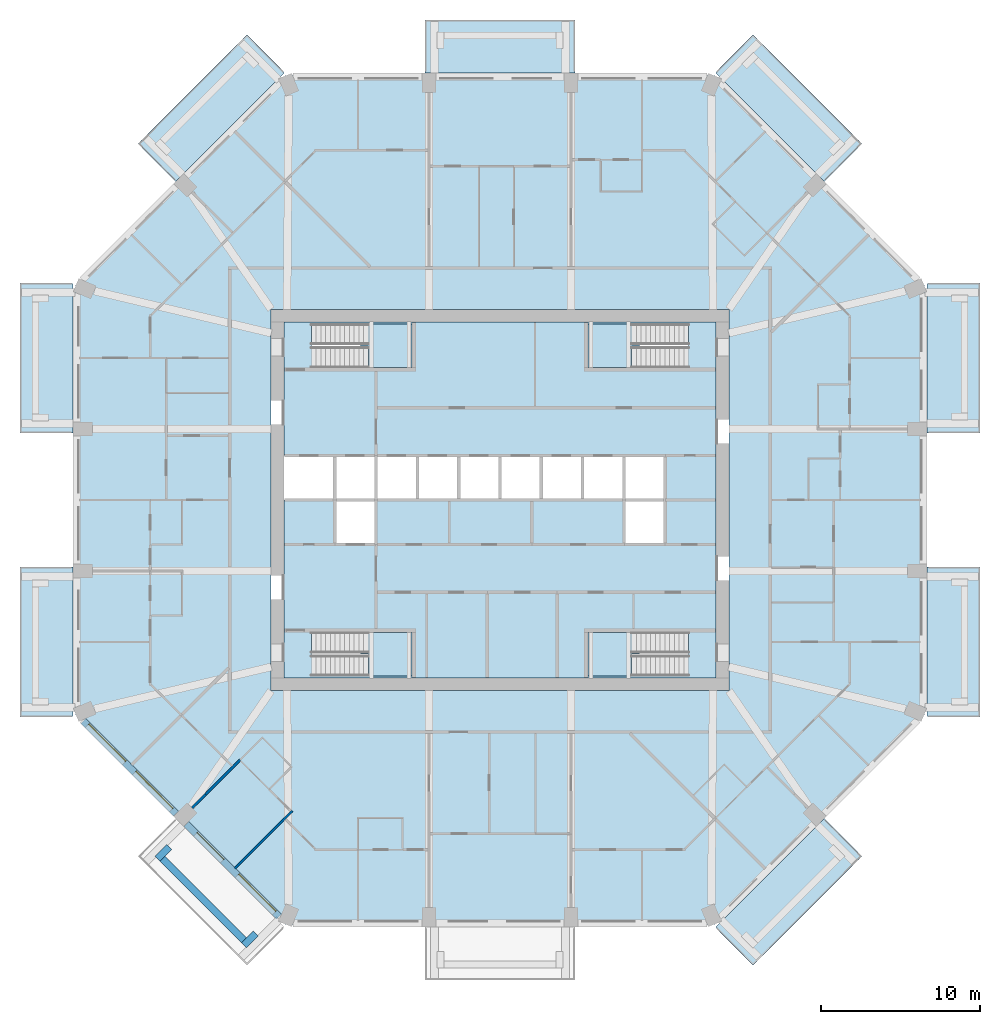
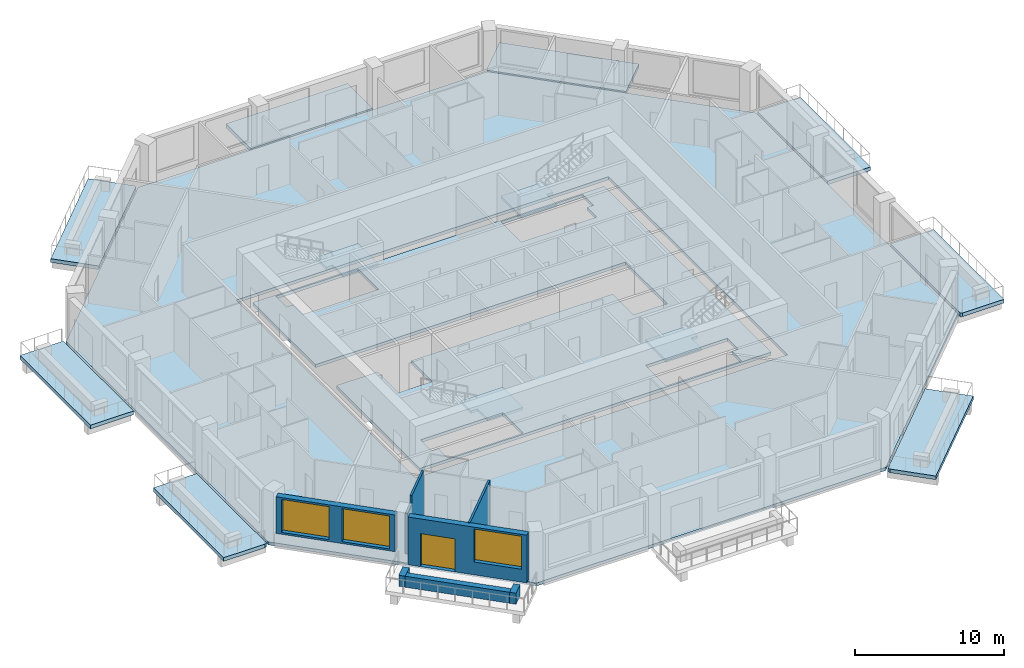
# One storey, part 2 of 13: 14 slabs, 8 walls, 3 windows, 1 door, 4 openings, 4 elements without a shape of their own.
"""IFC4 building model written with IfcOpenShell, lengths in metres."""

from ifc_helpers import new_model, si_unit, direction, frame, frame_2d, origin, place, context, subcontext, project, spatial, polyline, rectangle, outline, extrude, material, layer, layer_set, type_object, element, fill, aggregate, save


model = new_model("IFC4")

# Units and contexts
model_context = context("Model", 3, precision=1e-05, world=origin(), true_north=direction((0.0, 1.0)))
body_context = subcontext(model_context, "Body", "Model", "MODEL_VIEW")
ifc_project = project(units=[si_unit("LENGTHUNIT", "METRE"), si_unit("AREAUNIT", "SQUARE_METRE"), si_unit("VOLUMEUNIT", "CUBIC_METRE"), si_unit("PLANEANGLEUNIT", "RADIAN"), si_unit("MASSUNIT", "GRAM", prefix="KILO")], contexts=[model_context])

# Site, building, storey
site_placement = place(None, origin())
site = spatial("IfcSite", under=ifc_project, at=site_placement, CompositionType="ELEMENT")
building_placement = place(site_placement, origin())
building = spatial("IfcBuilding", under=site, at=building_placement, Name="Msitu Wima Residences", CompositionType="ELEMENT")
storey_placement = place(building_placement, frame((0.0, 0.0, 135.89990234375)))
storey = spatial("IfcBuildingStorey", under=building, at=storey_placement, Name="L31", CompositionType="ELEMENT", Elevation=135.89990234375)

# Slabs
ifc_material_1 = material(Name="Concrete C40/50", Category="concrete")
ifc_layer_1 = layer(ifc_material_1, 0.300048828125)
ifc_layer_set_1 = layer_set([ifc_layer_1], Name="Concrete C40/50")
slab_type_1 = type_object("IfcSlabType", Name="Balcony slab BS300", PredefinedType="FLOOR", material=ifc_layer_set_1)
slab_1_placement = place(storey_placement, frame((0.0, 0.0, -0.2998046875)))
element("IfcSlab", 1, at=slab_1_placement, inside=storey, type_object=slab_type_1, Name="Balcony E0 L31", PredefinedType="FLOOR", context=body_context, shape_type="SweptSolid", body=[
    extrude(outline(polyline([(26.85009765625, -13.105224609375), (26.85009765625, -13.105224609375), (26.85009765625, -4.918701171875), (26.85009765625, -4.918701171875), (26.85009765625, -4.21875), (30.199951171875, -4.21875), (30.199951171875, -13.656005859375), (27.003662109375, -13.656005859375), (26.85009765625, -13.59228515625), (26.85009765625, -13.105224609375), (26.85009765625, -13.105224609375)])), origin(), (0.0, 0.0, 1.0), 0.2998046875),
])
slab_2_placement = place(storey_placement, frame((0.0, 0.0, -0.2998046875)))
element("IfcSlab", 2, at=slab_2_placement, inside=storey, type_object=slab_type_1, Name="Balcony E2 L31", PredefinedType="FLOOR", context=body_context, shape_type="SweptSolid", body=[
    extrude(outline(polyline([(26.85009765625, 13.105224609375), (26.85009765625, 13.105224609375), (26.85009765625, 13.59228515625), (27.003662109375, 13.656005859375), (30.199951171875, 13.656005859375), (30.199951171875, 4.21875), (26.85009765625, 4.21875), (26.85009765625, 4.918701171875), (26.85009765625, 4.918701171875), (26.85009765625, 13.105224609375), (26.85009765625, 13.105224609375)])), origin(), (0.0, 0.0, 1.0), 0.2998046875),
])
slab_3_placement = place(storey_placement, frame((0.0, 0.0, -0.2998046875)))
element("IfcSlab", 3, at=slab_3_placement, inside=storey, type_object=slab_type_1, Name="Balcony NE1 L31", PredefinedType="FLOOR", context=body_context, shape_type="SweptSolid", body=[
    extrude(outline(polyline([(15.916015625, 29.263671875), (22.766845703125, 22.4130859375), (20.39794921875, 20.04443359375), (13.59228515625, 26.85009765625), (13.656005859375, 27.003662109375), (15.916015625, 29.263671875)])), origin(), (0.0, 0.0, 1.0), 0.2998046875),
])
slab_4_placement = place(storey_placement, frame((0.0, 0.0, -0.2998046875)))
element("IfcSlab", 4, at=slab_4_placement, inside=storey, type_object=slab_type_1, Name="Balcony N1 L31", PredefinedType="FLOOR", context=body_context, shape_type="SweptSolid", body=[
    extrude(outline(polyline([(-4.0185546875, 26.85009765625), (-4.0185546875, 26.85009765625), (-4.71875, 26.85009765625), (-4.71875, 30.199951171875), (4.71875, 30.199951171875), (4.71875, 26.85009765625), (4.0185546875, 26.85009765625), (4.0185546875, 26.85009765625), (-4.0185546875, 26.85009765625)])), origin(), (0.0, 0.0, 1.0), 0.2998046875),
])
slab_5_placement = place(storey_placement, frame((0.0, 0.0, -0.2998046875)))
element("IfcSlab", 5, at=slab_5_placement, inside=storey, type_object=slab_type_1, Name="Balcony NW0 L31", PredefinedType="FLOOR", context=body_context, shape_type="SweptSolid", body=[
    extrude(outline(polyline([(-22.766845703125, 22.4130859375), (-15.916015625, 29.263671875), (-13.656005859375, 27.003662109375), (-13.59228515625, 26.85009765625), (-20.39794921875, 20.04443359375), (-22.766845703125, 22.4130859375)])), origin(), (0.0, 0.0, 1.0), 0.2998046875),
])
slab_6_placement = place(storey_placement, frame((0.0, 0.0, -0.2998046875)))
element("IfcSlab", 6, at=slab_6_placement, inside=storey, type_object=slab_type_1, Name="Balcony W0 L31", PredefinedType="FLOOR", context=body_context, shape_type="SweptSolid", body=[
    extrude(outline(polyline([(-26.85009765625, 13.105224609375), (-26.85009765625, 13.105224609375), (-26.85009765625, 4.918701171875), (-26.85009765625, 4.918701171875), (-26.85009765625, 4.21875), (-30.199951171875, 4.21875), (-30.199951171875, 13.656005859375), (-27.003662109375, 13.656005859375), (-26.85009765625, 13.59228515625), (-26.85009765625, 13.105224609375), (-26.85009765625, 13.105224609375)])), origin(), (0.0, 0.0, 1.0), 0.2998046875),
])
slab_7_placement = place(storey_placement, frame((0.0, 0.0, -0.2998046875)))
element("IfcSlab", 7, at=slab_7_placement, inside=storey, type_object=slab_type_1, Name="Balcony W2 L31", PredefinedType="FLOOR", context=body_context, shape_type="SweptSolid", body=[
    extrude(outline(polyline([(-26.85009765625, -13.105224609375), (-26.85009765625, -13.105224609375), (-26.85009765625, -13.59228515625), (-27.003662109375, -13.656005859375), (-30.199951171875, -13.656005859375), (-30.199951171875, -4.21875), (-26.85009765625, -4.21875), (-26.85009765625, -4.918701171875), (-26.85009765625, -4.918701171875), (-26.85009765625, -13.105224609375), (-26.85009765625, -13.105224609375)])), origin(), (0.0, 0.0, 1.0), 0.2998046875),
])
slab_8_placement = place(storey_placement, frame((0.0, 0.0, -0.2998046875)))
element("IfcSlab", 8, at=slab_8_placement, inside=storey, type_object=slab_type_1, Name="Balcony SE0 L31", PredefinedType="FLOOR", context=body_context, shape_type="SweptSolid", body=[
    extrude(outline(polyline([(22.766845703125, -22.4130859375), (15.916015625, -29.263671875), (13.656005859375, -27.003662109375), (13.59228515625, -26.85009765625), (20.39794921875, -20.04443359375), (22.766845703125, -22.4130859375)])), origin(), (0.0, 0.0, 1.0), 0.2998046875),
])
ifc_layer_2 = layer(ifc_material_1, 0.25)
ifc_layer_set_2 = layer_set([ifc_layer_2], Name="Concrete C40/50")
slab_type_2 = type_object("IfcSlabType", Name="Core floor CF250", PredefinedType="FLOOR", material=ifc_layer_set_2)
slab_9_placement = place(storey_placement, frame((0.0, 0.0, -0.25)))
element("IfcSlab", 9, at=slab_9_placement, inside=storey, type_object=slab_type_2, Name="Core floor", PredefinedType="FLOOR", context=body_context, shape_type="SweptSolid", body=[
    extrude(outline(polyline([(-13.60009765625, 11.199951171875), (-13.60009765625, 2.800048828125), (-10.39990234375, 2.800048828125), (-7.800048828125, 2.800048828125), (-5.199951171875, 2.800048828125), (-2.60009765625, 2.800048828125), (0.0, 2.800048828125), (2.60009765625, 2.800048828125), (5.199951171875, 2.800048828125), (7.800048828125, 2.800048828125), (10.39990234375, 2.800048828125), (10.39990234375, 0.0), (10.39990234375, -2.800048828125), (7.800048828125, -2.800048828125), (7.800048828125, 0.0), (5.199951171875, 0.0), (2.60009765625, 0.0), (0.0, 0.0), (-2.60009765625, 0.0), (-5.199951171875, 0.0), (-7.800048828125, 0.0), (-7.800048828125, -2.800048828125), (-10.39990234375, -2.800048828125), (-10.39990234375, 0.0), (-13.60009765625, 0.0), (-13.60009765625, -11.199951171875), (13.60009765625, -11.199951171875), (13.60009765625, 11.199951171875), (-13.60009765625, 11.199951171875)]), holes=[polyline([(-11.375, -11.074951171875), (-11.375, -9.77490234375), (-11.87451171875, -9.77490234375), (-11.87451171875, -8.324951171875), (-5.52490234375, -8.324951171875), (-5.52490234375, -11.074951171875), (-11.375, -11.074951171875)]), polyline([(-11.375, 9.625), (-11.87451171875, 9.625), (-11.87451171875, 11.074951171875), (-5.52490234375, 11.074951171875), (-5.52490234375, 8.324951171875), (-11.375, 8.324951171875), (-11.375, 9.625)]), polyline([(11.375, -9.77490234375), (11.375, -11.074951171875), (5.52490234375, -11.074951171875), (5.52490234375, -8.324951171875), (11.87451171875, -8.324951171875), (11.87451171875, -9.77490234375), (11.375, -9.77490234375)]), polyline([(11.375, 9.625), (11.375, 8.324951171875), (5.52490234375, 8.324951171875), (5.52490234375, 11.074951171875), (11.87451171875, 11.074951171875), (11.87451171875, 9.625), (11.375, 9.625)])]), origin(), (0.0, 0.0, 1.0), 0.25),
])
ifc_layer_3 = layer(ifc_material_1, 0.25)
ifc_layer_set_3 = layer_set([ifc_layer_3], Name="Concrete C40/50")
slab_type_3 = type_object("IfcSlabType", Name="PT flat slab 250 Concrete C40/50", PredefinedType="FLOOR", material=ifc_layer_set_3)
slab_10_placement = place(storey_placement, frame((0.0, 0.0, -0.25)))
element("IfcSlab", 10, at=slab_10_placement, inside=storey, type_object=slab_type_3, Name="Floor slab L31", PredefinedType="FLOOR", context=body_context, shape_type="SweptSolid", body=[
    extrude(outline(polyline([(26.699951171875, -13.5302734375), (13.5302734375, -26.699951171875), (-13.5302734375, -26.699951171875), (-26.699951171875, -13.5302734375), (-26.699951171875, 13.5302734375), (-13.5302734375, 26.699951171875), (13.5302734375, 26.699951171875), (26.699951171875, 13.5302734375), (26.699951171875, -13.5302734375)]), holes=[polyline([(-14.39990234375, -12.0), (14.39990234375, -12.0), (14.39990234375, 12.0), (-14.39990234375, 12.0), (-14.39990234375, -12.0)])]), origin(), (0.0, 0.0, 1.0), 0.25),
])

# Stair, slab
stair_type = type_object("IfcStairType", Name="Exit stair ES1615-130", PredefinedType="HALF_TURN_STAIR", material=ifc_material_1)
stair_1_placement = place(storey_placement, origin())
stair_1 = element("IfcStair", 11, at=stair_1_placement, inside=storey, type_object=stair_type, Name="Exit stair 1", PredefinedType="HALF_TURN_STAIR")
ifc_layer_4 = layer(ifc_material_1, 0.199951171875)
ifc_layer_set_4 = layer_set([ifc_layer_4], Name="Concrete C40/50")
slab_type_4 = type_object("IfcSlabType", Name="Stair landing SL200", PredefinedType="LANDING", material=ifc_layer_set_4)
slab_11_placement = place(storey_placement, frame((0.0, 0.0, 1.900146484375)))
slab_11 = element("IfcSlab", 12, at=slab_11_placement, type_object=slab_type_4, Name="S1 landing 1", PredefinedType="LANDING", context=body_context, shape_type="SweptSolid", body=[
    extrude(outline(polyline([(-5.52490234375, 8.324951171875), (-8.275390625, 8.324951171875), (-8.275390625, 9.699951171875), (-8.77490234375, 9.699951171875), (-8.77490234375, 11.074951171875), (-5.52490234375, 11.074951171875), (-5.52490234375, 8.324951171875)])), origin(), (0.0, 0.0, 1.0), 0.199951171875),
])
aggregate(stair_1, [slab_11])

stair_2_placement = place(storey_placement, origin())
stair_2 = element("IfcStair", 13, at=stair_2_placement, inside=storey, type_object=stair_type, Name="Exit stair 2", PredefinedType="HALF_TURN_STAIR")
slab_12_placement = place(storey_placement, frame((0.0, 0.0, 1.900146484375)))
slab_12 = element("IfcSlab", 14, at=slab_12_placement, type_object=slab_type_4, Name="S2 landing 1", PredefinedType="LANDING", context=body_context, shape_type="SweptSolid", body=[
    extrude(outline(polyline([(-5.52490234375, -11.074951171875), (-8.275390625, -11.074951171875), (-8.275390625, -9.699951171875), (-8.77490234375, -9.699951171875), (-8.77490234375, -8.324951171875), (-5.52490234375, -8.324951171875), (-5.52490234375, -11.074951171875)])), origin(), (0.0, 0.0, 1.0), 0.199951171875),
])
aggregate(stair_2, [slab_12])

stair_3_placement = place(storey_placement, origin())
stair_3 = element("IfcStair", 15, at=stair_3_placement, inside=storey, type_object=stair_type, Name="Exit stair 3", PredefinedType="HALF_TURN_STAIR")
slab_13_placement = place(storey_placement, frame((0.0, 0.0, 1.900146484375)))
slab_13 = element("IfcSlab", 16, at=slab_13_placement, type_object=slab_type_4, Name="S3 landing 1", PredefinedType="LANDING", context=body_context, shape_type="SweptSolid", body=[
    extrude(outline(polyline([(5.52490234375, 8.324951171875), (8.275390625, 8.324951171875), (8.275390625, 9.699951171875), (8.77490234375, 9.699951171875), (8.77490234375, 11.074951171875), (5.52490234375, 11.074951171875), (5.52490234375, 8.324951171875)])), origin(), (0.0, 0.0, 1.0), 0.199951171875),
])
aggregate(stair_3, [slab_13])

stair_4_placement = place(storey_placement, origin())
stair_4 = element("IfcStair", 17, at=stair_4_placement, inside=storey, type_object=stair_type, Name="Exit stair 4", PredefinedType="HALF_TURN_STAIR")
slab_14_placement = place(storey_placement, frame((0.0, 0.0, 1.900146484375)))
slab_14 = element("IfcSlab", 18, at=slab_14_placement, type_object=slab_type_4, Name="S4 landing 1", PredefinedType="LANDING", context=body_context, shape_type="SweptSolid", body=[
    extrude(outline(polyline([(5.52490234375, -11.074951171875), (8.275390625, -11.074951171875), (8.275390625, -9.699951171875), (8.77490234375, -9.699951171875), (8.77490234375, -8.324951171875), (5.52490234375, -8.324951171875), (5.52490234375, -11.074951171875)])), origin(), (0.0, 0.0, 1.0), 0.199951171875),
])
aggregate(stair_4, [slab_14])

# Walls
ifc_material_2 = material(Name="Facing brick")
ifc_layer_5 = layer(ifc_material_2, 0.06494140625, Name="Facing brick")
ifc_layer_6 = layer(ifc_material_1, 0.156005859375, Name="Concrete C40/50")
ifc_material_3 = material(Name="Waterproofing membrane")
ifc_layer_7 = layer(ifc_material_3, 0.00390625, Name="Waterproofing membrane")
ifc_material_4 = material(Name="Planting soil and planting")
ifc_layer_8 = layer(ifc_material_4, 0.22509765625, Name="Planting soil and planting")
ifc_layer_set_5 = layer_set([ifc_layer_5, ifc_layer_6, ifc_layer_7, ifc_layer_8], Name="Concrete C40/50")
wall_type_1 = type_object("IfcWallType", Name="Balcony planter PLANTER PL450", PredefinedType="USERDEFINED", material=ifc_layer_set_5)
wall_1_placement = place(storey_placement, frame((-21.228759765625, -22.572265625, 0.0), z_axis=(0.0, 0.0, 1.0), x_axis=(0.707106781187, -0.707106781187, 0.0)))
element("IfcWall", 19, at=wall_1_placement, inside=storey, type_object=wall_type_1, Name="Balcony planter SW1 L31", ObjectType="PLANTER", PredefinedType="USERDEFINED", context=body_context, shape_type="SweptSolid", body=[
    extrude(rectangle(XDim=7.23828125, YDim=0.449951171875, at=frame_2d((3.619140625, 0.0))), origin(), (0.0, 0.0, 1.0), 0.900146484375),
])
for number, where, z_axis, x_axis, name in (
    (20, (-20.804443359375, -21.829833984375, 0.0), (0.0, 0.0, 1.0), (-0.707106781187, -0.707106781187, 0.0), "Balcony planter SW1 L31"),
    (21, (-15.3681640625, -27.26611328125, 0.0), (0.0, 0.0, 1.0), (-0.706990528533, -0.707223014731, 0.0), "Balcony planter SW1 L31"),
):
    element("IfcWall", number, at=place(storey_placement, frame(where, z_axis=z_axis, x_axis=x_axis)), inside=storey, type_object=wall_type_1, Name=name, ObjectType="PLANTER", PredefinedType="USERDEFINED", context=body_context, shape_type="SweptSolid", body=[
        extrude(rectangle(XDim=1.050048828125, YDim=0.449951171875, at=frame_2d((0.52490234375, 0.0))), origin(), (0.0, 0.0, 1.0), 0.900146484375),
    ])

# Wall, openings, windows
ifc_material_5 = material(Name="Brick (red buff mix)", Category="masonry")
ifc_layer_9 = layer(ifc_material_5, 0.449951171875)
ifc_layer_set_6 = layer_set([ifc_layer_9], Name="Brick (red buff mix)")
wall_type_2 = type_object("IfcWallType", Name="Brick infill wall BW450", PredefinedType="SOLIDWALL", material=ifc_layer_set_6)
wall_2_placement = place(storey_placement, frame((-26.214599609375, -13.909423828125, 0.900146484375), z_axis=(0.0, 0.0, 1.0), x_axis=(0.707106781187, -0.707106781187, 0.0)))
wall_2 = element("IfcWall", 22, at=wall_2_placement, inside=storey, type_object=wall_type_2, Name="Brick infill wall L31 SW0", PredefinedType="SOLIDWALL", context=body_context, shape_type="SweptSolid", body=[
    extrude(rectangle(XDim=8.251220703125, YDim=0.449951171875, at=frame_2d((4.12548828125, 0.0))), origin(), (0.0, 0.0, 1.0), 3.0),
])
opening_1_placement = place(wall_2_placement, frame((0.37548828125, 0.0, 0.14990234375)))
opening_1 = element("IfcOpeningElement", 23, at=opening_1_placement, cuts=wall_2, Name="Opening W30-32.024", PredefinedType="OPENING", context=body_context, shape_type="SweptSolid", body=[
    extrude(rectangle(XDim=3.300048828125, YDim=2.699951171875, at=frame_2d((1.64990234375, 1.35009765625))), frame((0.0, 0.23486328125, 0.0), z_axis=(0.0, -1.0, 0.0), x_axis=(1.0, 0.0, 0.0)), (0.0, 0.0, 1.0), 0.469970703125),
])
opening_2_placement = place(wall_2_placement, frame((4.57568359375, 0.0, 0.14990234375)))
opening_2 = element("IfcOpeningElement", 24, at=opening_2_placement, cuts=wall_2, Name="Opening W30-32.025", PredefinedType="OPENING", context=body_context, shape_type="SweptSolid", body=[
    extrude(rectangle(XDim=3.300048828125, YDim=2.699951171875, at=frame_2d((1.64990234375, 1.35009765625))), frame((0.0, 0.23486328125, 0.0), z_axis=(0.0, -1.0, 0.0), x_axis=(1.0, 0.0, 0.0)), (0.0, 0.0, 1.0), 0.469970703125),
])
ifc_material_6 = material(Name="Anodised aluminium, bronze finish, clear low-emissivity double glazing", Category="aluminium")
window_type = type_object("IfcWindowType", Name="Window W3300x2700", PartitioningType="DOUBLE_PANEL_VERTICAL", PredefinedType="WINDOW", material=ifc_material_6)
window_1_placement = place(opening_1_placement, origin())
window_1 = element("IfcWindow", 25, at=window_1_placement, inside=storey, type_object=window_type, Name="Window L31 SW0.1", OverallHeight=2.699951171875, OverallWidth=3.300048828125, PartitioningType="SINGLE_PANEL", PredefinedType="WINDOW", context=body_context, shape_type="SweptSolid", body=[
    extrude(rectangle(XDim=3.300048828125, YDim=2.699951171875, at=frame_2d((1.64990234375, 1.35009765625))), frame((0.0, 0.135009765625, 0.0), z_axis=(0.0, -1.0, 0.0), x_axis=(1.0, 0.0, 0.0)), (0.0, 0.0, 1.0), 0.06005859375),
])
fill(opening_1, window_1)
window_2_placement = place(opening_2_placement, origin())
window_2 = element("IfcWindow", 26, at=window_2_placement, inside=storey, type_object=window_type, Name="Window L31 SW0.2", OverallHeight=2.699951171875, OverallWidth=3.300048828125, PartitioningType="SINGLE_PANEL", PredefinedType="WINDOW", context=body_context, shape_type="SweptSolid", body=[
    extrude(rectangle(XDim=3.300048828125, YDim=2.699951171875, at=frame_2d((1.64990234375, 1.35009765625))), frame((0.0, 0.135009765625, 0.0), z_axis=(0.0, -1.0, 0.0), x_axis=(1.0, 0.0, 0.0)), (0.0, 0.0, 1.0), 0.06005859375),
])
fill(opening_2, window_2)

# Wall, openings, door, window
wall_3_placement = place(storey_placement, frame((-19.743896484375, -20.380126953125, 0.0), z_axis=(0.0, 0.0, 1.0), x_axis=(0.707106781187, -0.707106781187, 0.0)))
wall_3 = element("IfcWall", 27, at=wall_3_placement, inside=storey, type_object=wall_type_2, Name="Brick infill wall L31 SW1", PredefinedType="SOLIDWALL", context=body_context, shape_type="SweptSolid", body=[
    extrude(rectangle(XDim=8.251220703125, YDim=0.449951171875, at=frame_2d((4.12548828125, 0.0))), origin(), (0.0, 0.0, 1.0), 3.900146484375),
])
opening_3_placement = place(wall_3_placement, frame((0.86279296875, 0.0, 0.0)))
opening_3 = element("IfcOpeningElement", 28, at=opening_3_placement, cuts=wall_3, Name="Opening D30-32.008", PredefinedType="OPENING", context=body_context, shape_type="SweptSolid", body=[
    extrude(rectangle(XDim=2.39990234375, YDim=2.699951171875, at=frame_2d((1.199951171875, 1.35009765625))), frame((0.0, 0.23486328125, 0.0), z_axis=(0.0, -1.0, 0.0), x_axis=(1.0, 0.0, 0.0)), (0.0, 0.0, 1.0), 0.469970703125),
])
opening_4_placement = place(wall_3_placement, frame((4.57568359375, 0.0, 1.050048828125)))
opening_4 = element("IfcOpeningElement", 29, at=opening_4_placement, cuts=wall_3, Name="Opening W30-32.026", PredefinedType="OPENING", context=body_context, shape_type="SweptSolid", body=[
    extrude(rectangle(XDim=3.300048828125, YDim=2.699951171875, at=frame_2d((1.64990234375, 1.35009765625))), frame((0.0, 0.23486328125, 0.0), z_axis=(0.0, -1.0, 0.0), x_axis=(1.0, 0.0, 0.0)), (0.0, 0.0, 1.0), 0.469970703125),
])
door_type = type_object("IfcDoorType", Name="Balcony door D2400x2700", OperationType="SLIDING_TO_LEFT", PredefinedType="DOOR", material=ifc_material_6)
door_placement = place(opening_3_placement, origin())
door = element("IfcDoor", 30, at=door_placement, inside=storey, type_object=door_type, Name="Balcony door L31 SW1", OperationType="SINGLE_SWING_LEFT", OverallHeight=2.699951171875, OverallWidth=2.39990234375, PredefinedType="DOOR", context=body_context, shape_type="SweptSolid", body=[
    extrude(rectangle(XDim=2.39990234375, YDim=2.699951171875, at=frame_2d((1.199951171875, 1.35009765625))), frame((0.0, 0.1298828125, 0.0), z_axis=(0.0, -1.0, 0.0), x_axis=(1.0, 0.0, 0.0)), (0.0, 0.0, 1.0), 0.050048828125),
])
fill(opening_3, door)
window_3_placement = place(opening_4_placement, origin())
window_3 = element("IfcWindow", 31, at=window_3_placement, inside=storey, type_object=window_type, Name="Window L31 SW1.2", OverallHeight=2.699951171875, OverallWidth=3.300048828125, PartitioningType="SINGLE_PANEL", PredefinedType="WINDOW", context=body_context, shape_type="SweptSolid", body=[
    extrude(rectangle(XDim=3.300048828125, YDim=2.699951171875, at=frame_2d((1.64990234375, 1.35009765625))), frame((0.0, 0.135009765625, 0.0), z_axis=(0.0, -1.0, 0.0), x_axis=(1.0, 0.0, 0.0)), (0.0, 0.0, 1.0), 0.06005859375),
])
fill(opening_4, window_3)

# Walls
ifc_material_7 = material(Name="Plaster")
ifc_layer_10 = layer(ifc_material_7, 0.011962890625, Name="Plaster")
ifc_material_8 = material(Name="Concrete blockwork", Category="masonry")
ifc_layer_11 = layer(ifc_material_8, 0.1259765625, Name="Concrete blockwork")
ifc_layer_12 = layer(ifc_material_7, 0.011962890625, Name="Plaster")
ifc_layer_set_7 = layer_set([ifc_layer_10, ifc_layer_11, ifc_layer_12], Name="Concrete blockwork")
wall_type_3 = type_object("IfcWallType", Name="Partition PW150", PredefinedType="PARTITIONING", material=ifc_layer_set_7)
wall_4_placement = place(storey_placement, frame((-19.37255859375, -19.37255859375, 0.0), z_axis=(0.0, 0.0, 1.0), x_axis=(0.707106781187, 0.707106781187, 0.0)))
element("IfcWall", 32, at=wall_4_placement, inside=storey, type_object=wall_type_3, Name="Partition", PredefinedType="PARTITIONING", context=body_context, shape_type="SweptSolid", body=[
    extrude(rectangle(XDim=1.209228515625, YDim=0.14990234375, at=frame_2d((0.6044921875, 0.0))), origin(), (0.0, 0.0, 1.0), 3.300048828125),
])
wall_5_placement = place(storey_placement, frame((-18.517578125, -18.517578125, 0.0), z_axis=(0.0, 0.0, 1.0), x_axis=(0.707106781187, 0.707106781187, 0.0)))
element("IfcWall", 33, at=wall_5_placement, inside=storey, type_object=wall_type_3, Name="Partition", PredefinedType="PARTITIONING", context=body_context, shape_type="SweptSolid", body=[
    extrude(rectangle(XDim=3.060791015625, YDim=0.14990234375, at=frame_2d((1.5302734375, 0.0))), origin(), (0.0, 0.0, 1.0), 3.9501953125),
])
wall_6_placement = place(storey_placement, frame((-16.693359375, -23.1904296875, 0.0), z_axis=(0.0, 0.0, 1.0), x_axis=(0.707106781187, 0.707106781187, 0.0)))
element("IfcWall", 34, at=wall_6_placement, inside=storey, type_object=wall_type_3, Name="Partition", PredefinedType="PARTITIONING", context=body_context, shape_type="SweptSolid", body=[
    extrude(rectangle(XDim=5.1298828125, YDim=0.14990234375, at=frame_2d((2.56494140625, 0.0))), origin(), (0.0, 0.0, 1.0), 3.9501953125),
])

save(model, "model.ifc")
